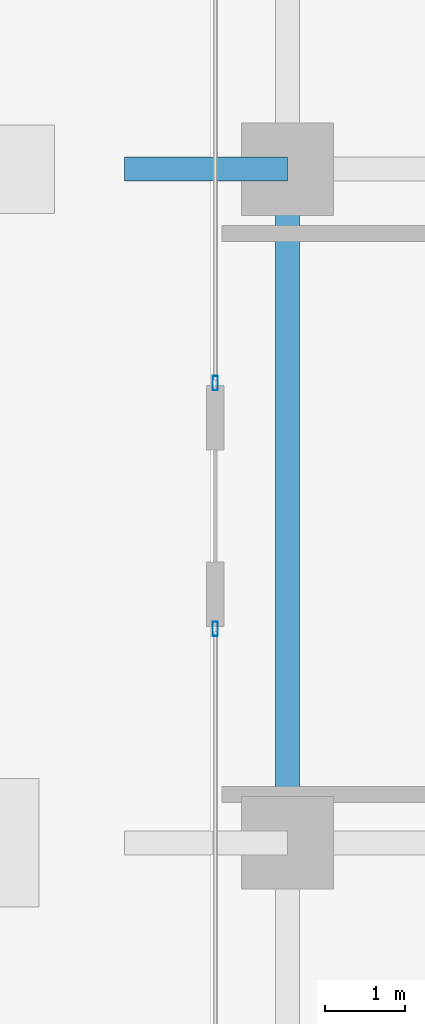
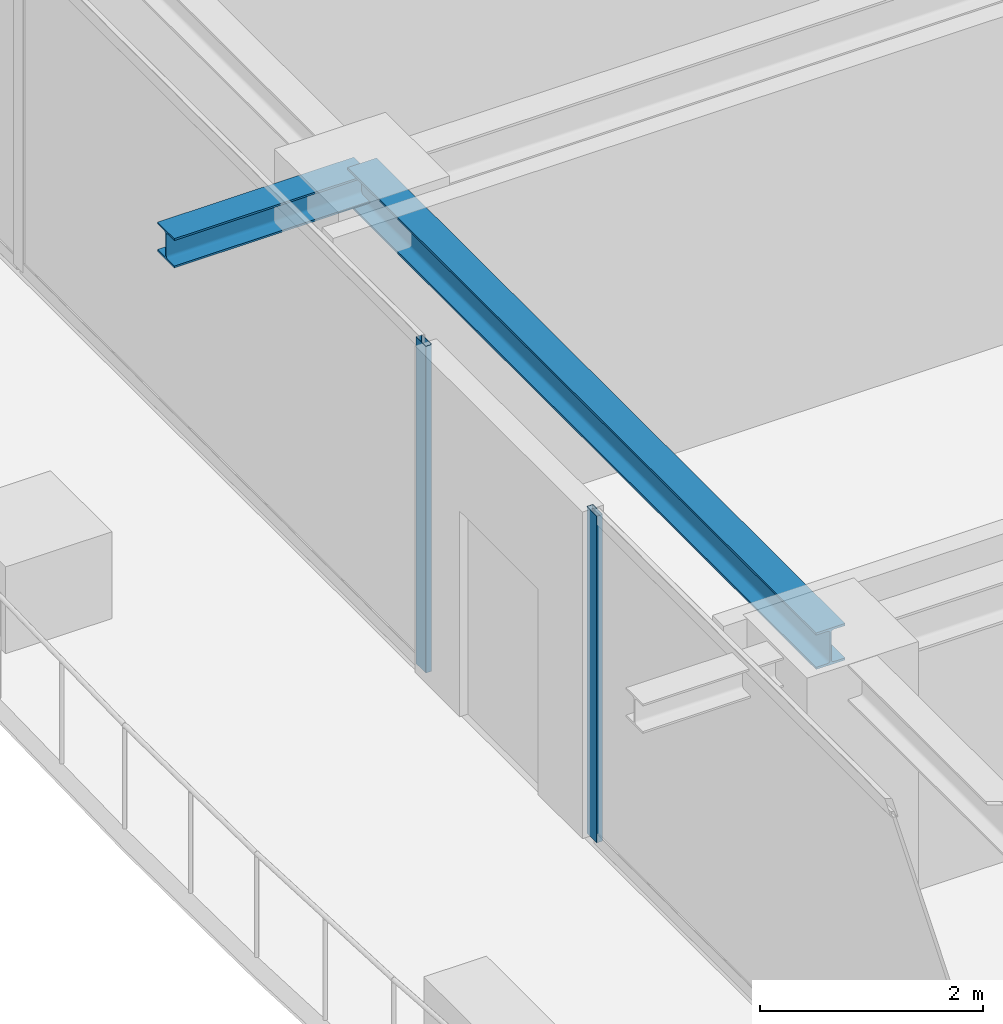
# One storey, part 10 of 36: 2 beams, 2 members, 2 elements without a shape of their own.
"""IFC4 building model written with IfcOpenShell, lengths in metres."""

from ifc_helpers import new_model, si_unit, direction, frame, origin, origin_2d, place, context, subcontext, project, spatial, hollow_rectangle, i_section, extrude, source, transform, mapped, material, layer, layer_set, material_profile, profile_set, type_object, element, aggregate, save


model = new_model("IFC4")

# Units and contexts
model_context = context("Model", 3, precision=1e-05, world=origin(), true_north=direction((0.0, 1.0)))
body_context = subcontext(model_context, "Body", "Model", "MODEL_VIEW")
ifc_project = project(units=[si_unit("LENGTHUNIT", "METRE"), si_unit("AREAUNIT", "SQUARE_METRE"), si_unit("VOLUMEUNIT", "CUBIC_METRE"), si_unit("PLANEANGLEUNIT", "RADIAN"), si_unit("MASSUNIT", "GRAM", prefix="KILO")], contexts=[model_context])

# Site, building, storey
site_placement = place(None, origin())
site = spatial("IfcSite", under=ifc_project, at=site_placement, CompositionType="ELEMENT")
building_placement = place(site_placement, origin())
building = spatial("IfcBuilding", under=site, at=building_placement, Name="Serunith Strait Residences", CompositionType="ELEMENT")
storey_placement = place(building_placement, frame((0.0, 0.0, 272.050048828125)))
storey = spatial("IfcBuildingStorey", under=building, at=storey_placement, Name="L68", CompositionType="ELEMENT", Elevation=272.050048828125)

# Beams
ifc_material_1 = material(Name="Steel S355J2", Category="steel")
ifc_material_profile_1 = material_profile(ifc_material_1, i_section(OverallWidth=0.300048828125, OverallDepth=0.39990234375, WebThickness=0.013427734375, FlangeThickness=0.02392578125, FilletRadius=0.027099609375, at=origin_2d()), Name="HEB 400")
ifc_profile_set_1 = profile_set([ifc_material_profile_1], Name="Steel S355J2")
beam_type_1 = type_object("IfcBeamType", Name="BM-HEB400", PredefinedType="BEAM", material=ifc_profile_set_1)
shared_shape_1 = source(origin(), body_context, "Body", "SweptSolid", [
    extrude(i_section(OverallWidth=0.300048828125, OverallDepth=0.39990234375, WebThickness=0.013427734375, FlangeThickness=0.02392578125, FilletRadius=0.027099609375, at=origin_2d()), origin(), (0.0, 0.0, 1.0), 8.39990234375),
])
beam_1_placement = place(storey_placement, frame((8.300048828125, 29.39990234375, 3.386962890625), z_axis=(0.0, -1.0, 0.0), x_axis=(1.0, 0.0, 0.0)))
element("IfcBeam", 1, at=beam_1_placement, inside=storey, type_object=beam_type_1, Name="L68 Perimeter Ring Beam 14", PredefinedType="BEAM", context=body_context, shape_type="MappedRepresentation", body=[
    mapped(shared_shape_1, transform((0.0, 0.0, 0.0), scale=1.0)),
])
ifc_material_profile_2 = material_profile(ifc_material_1, i_section(OverallWidth=0.300048828125, OverallDepth=0.320068359375, WebThickness=0.011474609375, FlangeThickness=0.0205078125, FilletRadius=0.027099609375, at=origin_2d()), Name="HEB 320")
ifc_profile_set_2 = profile_set([ifc_material_profile_2], Name="Steel S355J2")
beam_type_2 = type_object("IfcBeamType", Name="BM-HEB320", PredefinedType="BEAM", material=ifc_profile_set_2)
shared_shape_2 = source(origin(), body_context, "Body", "SweptSolid", [
    extrude(i_section(OverallWidth=0.300048828125, OverallDepth=0.320068359375, WebThickness=0.011474609375, FlangeThickness=0.0205078125, FilletRadius=0.027099609375, at=origin_2d()), origin(), (0.0, 0.0, 1.0), 2.030029296875),
])
beam_2_placement = place(storey_placement, frame((8.300048828125, 29.39990234375, 3.39697265625), z_axis=(-1.0, 0.0, 0.0), x_axis=(0.0, -1.0, 0.0)))
element("IfcBeam", 2, at=beam_2_placement, inside=storey, type_object=beam_type_2, Name="L69 Cantilevered Balcony Rib TC-W3", PredefinedType="BEAM", context=body_context, shape_type="MappedRepresentation", body=[
    mapped(shared_shape_2, transform((0.0, 0.0, 0.0), scale=1.0)),
])

# Curtain wall, member
ifc_material_2 = material(Name="Pale-Champagne Anodised Aluminium", Category="aluminium")
ifc_layer = layer(ifc_material_2, 0.199951171875, Name="Pale-Champagne Anodised Aluminium")
ifc_layer_set = layer_set([ifc_layer], Name="Pale-Champagne Anodised Aluminium")
curtain_wall_type = type_object("IfcCurtainWallType", Name="CW-SYS4", PredefinedType="NOTDEFINED", material=ifc_layer_set)
curtain_wall_1_placement = place(storey_placement, origin())
curtain_wall_1 = element("IfcCurtainWall", 3, at=curtain_wall_1_placement, inside=storey, type_object=curtain_wall_type, Name="L68 W Unitised Fritted Curtain Wall", PredefinedType="NOTDEFINED")
ifc_material_profile_3 = material_profile(ifc_material_2, hollow_rectangle(XDim=0.06494140625, YDim=0.179931640625, WallThickness=0.00341796875, InnerFilletRadius=0.00537109375, OuterFilletRadius=0.0087890625, at=origin_2d()), Name="ALU 180x65x3.5")
ifc_profile_set_3 = profile_set([ifc_material_profile_3], Name="Pale-Champagne Anodised Aluminium")
member_type = type_object("IfcMemberType", Name="CW-SYS4-MULL", PredefinedType="MULLION", material=ifc_profile_set_3)
shared_shape_3 = source(origin(), body_context, "Body", "SweptSolid", [
    extrude(hollow_rectangle(XDim=0.06494140625, YDim=0.179931640625, WallThickness=0.00341796875, InnerFilletRadius=0.00537109375, OuterFilletRadius=0.0087890625, at=origin_2d()), origin(), (0.0, 0.0, 1.0), 3.574951171875),
])
member_1_placement = place(storey_placement, frame((7.39990234375, 26.732421875, 0.0), z_axis=(0.0, 0.0, 1.0), x_axis=(1.0, 0.0, 0.0)))
member_1 = element("IfcMember", 4, at=member_1_placement, type_object=member_type, Name="CW-4 mullion 3", PredefinedType="MULLION", context=body_context, shape_type="MappedRepresentation", body=[
    mapped(shared_shape_3, transform((0.0, 0.0, 0.0), scale=1.0)),
])
aggregate(curtain_wall_1, [member_1])

curtain_wall_2_placement = place(storey_placement, origin())
curtain_wall_2 = element("IfcCurtainWall", 5, at=curtain_wall_2_placement, inside=storey, type_object=curtain_wall_type, Name="L68 W Unitised Fritted Curtain Wall", PredefinedType="NOTDEFINED")
member_2_placement = place(storey_placement, frame((7.39990234375, 23.66748046875, 0.0), z_axis=(0.0, 0.0, 1.0), x_axis=(1.0, 0.0, 0.0)))
member_2 = element("IfcMember", 6, at=member_2_placement, type_object=member_type, Name="CW-4 mullion 1", PredefinedType="MULLION", context=body_context, shape_type="MappedRepresentation", body=[
    mapped(shared_shape_3, transform((0.0, 0.0, 0.0), scale=1.0)),
])
aggregate(curtain_wall_2, [member_2])

save(model, "model.ifc")
